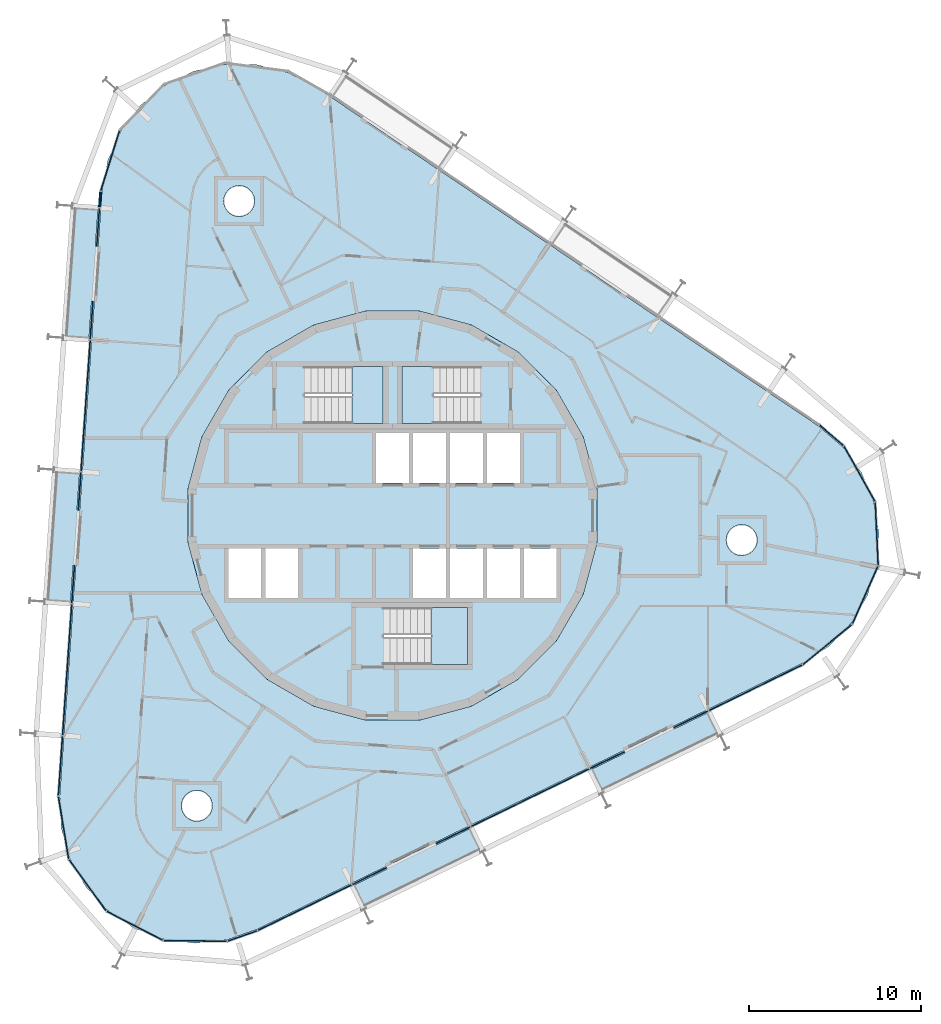
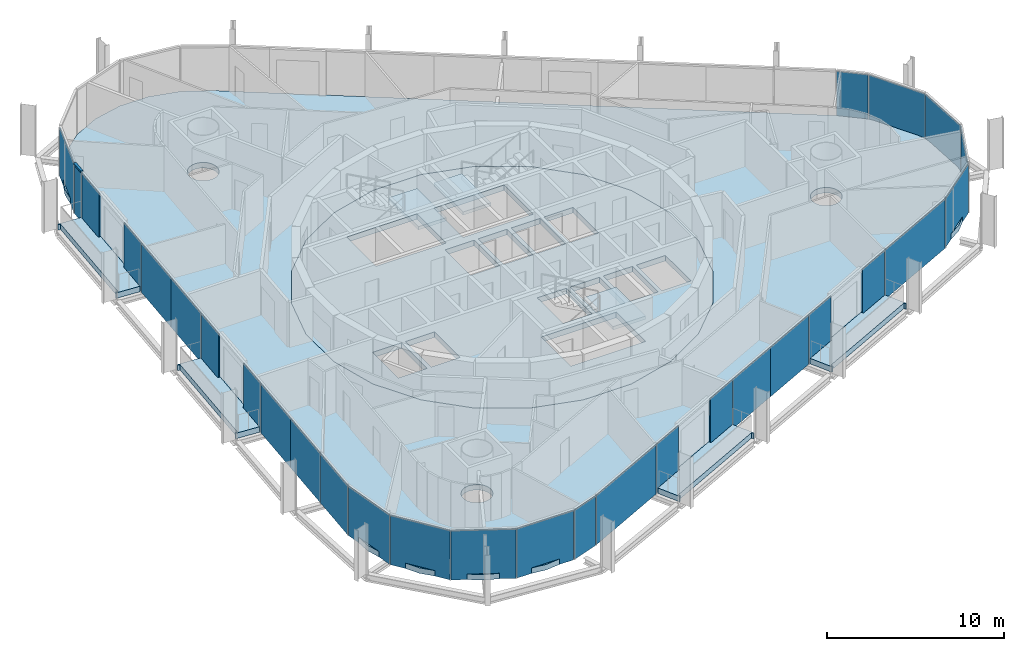
# One storey, part 10 of 18: 29 plates, 9 slabs, 1 member, 8 elements without a shape of their own.
"""IFC4 building model written with IfcOpenShell, lengths in metres."""

from ifc_helpers import new_model, si_unit, direction, frame, origin, origin_2d, place, context, subcontext, project, spatial, polyline, rectangle, outline, extrude, material, layer, layer_set, material_profile, profile_set, type_object, element, aggregate, save


model = new_model("IFC4")

# Units and contexts
model_context = context("Model", 3, precision=1e-05, world=origin(), true_north=direction((0.0, 1.0)))
body_context = subcontext(model_context, "Body", "Model", "MODEL_VIEW")
ifc_project = project(units=[si_unit("LENGTHUNIT", "METRE"), si_unit("AREAUNIT", "SQUARE_METRE"), si_unit("VOLUMEUNIT", "CUBIC_METRE"), si_unit("PLANEANGLEUNIT", "RADIAN"), si_unit("MASSUNIT", "GRAM", prefix="KILO")], contexts=[model_context])

# Site, building, storey
site_placement = place(None, origin())
site = spatial("IfcSite", under=ifc_project, at=site_placement, CompositionType="ELEMENT")
building_placement = place(site_placement, origin())
building = spatial("IfcBuilding", under=site, at=building_placement, Name="Spindle Arch Residences", CompositionType="ELEMENT")
storey_placement = place(building_placement, frame((0.0, 0.0, 195.39990234375)))
storey = spatial("IfcBuildingStorey", under=building, at=storey_placement, Name="L49", CompositionType="ELEMENT", Elevation=195.39990234375)

# Curtain wall, member
ifc_material_1 = material(Name="Aluminium bronze unitised frame with tinted glass", Category="aluminium")
ifc_layer_1 = layer(ifc_material_1, 0.159912109375)
ifc_layer_set_1 = layer_set([ifc_layer_1], Name="CW-D corner wall on the fillet arcs")
curtain_wall_type_1 = type_object("IfcCurtainWallType", Name="CW-D corner wall on the fillet arcs", PredefinedType="NOTDEFINED", material=ifc_layer_set_1)
curtain_wall_1_placement = place(storey_placement, origin())
curtain_wall_1 = element("IfcCurtainWall", 1, at=curtain_wall_1_placement, inside=storey, type_object=curtain_wall_type_1, Name="CW-D L49 run 3", PredefinedType="NOTDEFINED")
ifc_material_2 = material(Name="Aluminium bronze anodised transom", Category="aluminium")
ifc_material_profile = material_profile(ifc_material_2, rectangle(XDim=0.159912109375, YDim=0.1201171875, at=origin_2d()), Name="TR 120x160")
ifc_profile_set = profile_set([ifc_material_profile], Name="Aluminium bronze anodised transom")
member_type = type_object("IfcMemberType", Name="Bronze transom 120x160", PredefinedType="USERDEFINED", material=ifc_profile_set)
member_placement = place(storey_placement, frame((-16.98828125, 18.83447265625, 3.06005859375), z_axis=(-0.069692035463, -0.997568554132, 0.0), x_axis=(0.997568554132, -0.069692035463, 0.0)))
member = element("IfcMember", 2, at=member_placement, type_object=member_type, Name="CW-D transom 05", ObjectType="TRANSOM", PredefinedType="USERDEFINED", context=body_context, shape_type="SweptSolid", body=[
    extrude(rectangle(XDim=0.159912109375, YDim=0.1201171875, at=origin_2d()), origin(), (0.0, 0.0, 1.0), 0.90380859375),
])

# Slabs
ifc_material_3 = material(Name="Concrete C40/50", Category="concrete")
ifc_layer_2 = layer(ifc_material_3, 0.3798828125)
ifc_layer_set_2 = layer_set([ifc_layer_2], Name="Balcony slab 380")
slab_type_1 = type_object("IfcSlabType", Name="Balcony slab 380", PredefinedType="FLOOR", material=ifc_layer_set_2)
slab_1_placement = place(storey_placement, frame((0.0, 0.0, -0.3798828125)))
element("IfcSlab", 3, at=slab_1_placement, inside=storey, type_object=slab_type_1, Name="Balcony L49 bay 1", PredefinedType="FLOOR", context=body_context, shape_type="SweptSolid", body=[
    extrude(outline(polyline([(12.21826171875, -16.1044921875), (12.28564453125, -16.07177734375), (12.2197265625, -15.936767578125), (18.865234375, -12.695556640625), (18.930908203125, -12.83056640625), (18.99853515625, -12.797607421875), (18.34521484375, -11.45849609375), (16.393310546875, -12.410400390625), (16.322998046875, -12.2666015625), (13.447021484375, -13.66943359375), (13.51708984375, -13.813232421875), (11.56494140625, -14.765380859375), (12.21826171875, -16.1044921875)])), origin(), (0.0, 0.0, 1.0), 0.3798828125),
])
slab_2_placement = place(storey_placement, frame((0.0, 0.0, -0.3798828125)))
element("IfcSlab", 4, at=slab_2_placement, inside=storey, type_object=slab_type_1, Name="Balcony L49 bay 13", PredefinedType="FLOOR", context=body_context, shape_type="SweptSolid", body=[
    extrude(outline(polyline([(-18.624755859375, 17.9375), (-18.630126953125, 17.86279296875), (-18.48046875, 17.852294921875), (-18.996337890625, 10.4765625), (-19.145751953125, 10.487060546875), (-19.151123046875, 10.412353515625), (-17.664794921875, 10.308349609375), (-17.51318359375, 12.474853515625), (-17.353515625, 12.4638671875), (-17.13037109375, 15.656005859375), (-17.2900390625, 15.6669921875), (-17.138427734375, 17.833740234375), (-18.624755859375, 17.9375)])), origin(), (0.0, 0.0, 1.0), 0.3798828125),
])
slab_3_placement = place(storey_placement, frame((0.0, 0.0, -0.3798828125)))
element("IfcSlab", 5, at=slab_3_placement, inside=storey, type_object=slab_type_1, Name="Balcony L49 bay 15", PredefinedType="FLOOR", context=body_context, shape_type="SweptSolid", body=[
    extrude(outline(polyline([(-19.6982421875, 2.587646484375), (-19.703369140625, 2.512939453125), (-19.553955078125, 2.50244140625), (-20.069580078125, -4.873291015625), (-20.21923828125, -4.86279296875), (-20.224365234375, -4.937744140625), (-18.738037109375, -5.04150390625), (-18.586669921875, -2.875), (-18.427001953125, -2.88623046875), (-18.203857421875, 0.305908203125), (-18.36328125, 0.317138671875), (-18.2119140625, 2.483642578125), (-19.6982421875, 2.587646484375)])), origin(), (0.0, 0.0, 1.0), 0.3798828125),
])
slab_4_placement = place(storey_placement, frame((0.0, 0.0, -0.3798828125)))
element("IfcSlab", 6, at=slab_4_placement, inside=storey, type_object=slab_type_1, Name="Balcony L49 bay 21", PredefinedType="FLOOR", context=body_context, shape_type="SweptSolid", body=[
    extrude(outline(polyline([(-1.612060546875, -22.849853515625), (-1.54443359375, -22.817138671875), (-1.6103515625, -22.68212890625), (5.03515625, -19.441162109375), (5.100830078125, -19.575927734375), (5.168212890625, -19.54296875), (4.51513671875, -18.203857421875), (2.56298828125, -19.15576171875), (2.492919921875, -19.011962890625), (-0.38330078125, -20.414794921875), (-0.31298828125, -20.55859375), (-2.26513671875, -21.5107421875), (-1.612060546875, -22.849853515625)])), origin(), (0.0, 0.0, 1.0), 0.3798828125),
])
ifc_material_4 = material(Name="Concrete C50/60", Category="concrete")
ifc_layer_3 = layer(ifc_material_4, 0.3798828125)
ifc_layer_set_3 = layer_set([ifc_layer_3], Name="Core floor slab 380")
slab_type_2 = type_object("IfcSlabType", Name="Core floor slab 380", PredefinedType="FLOOR", material=ifc_layer_set_3)
slab_5_placement = place(storey_placement, frame((0.0, 0.0, -0.3798828125)))
element("IfcSlab", 7, at=slab_5_placement, inside=storey, type_object=slab_type_2, Name="Core floor L49", PredefinedType="FLOOR", context=body_context, shape_type="SweptSolid", body=[
    extrude(outline(polyline([(1.56640625, -11.897216796875), (4.59228515625, -11.086669921875), (7.30517578125, -9.520263671875), (9.520263671875, -7.30517578125), (11.086669921875, -4.59228515625), (11.897216796875, -1.56640625), (11.897216796875, 1.56640625), (11.086669921875, 4.59228515625), (9.520263671875, 7.30517578125), (7.30517578125, 9.520263671875), (4.59228515625, 11.086669921875), (1.56640625, 11.897216796875), (-1.56640625, 11.897216796875), (-4.59228515625, 11.086669921875), (-7.30517578125, 9.520263671875), (-9.520263671875, 7.30517578125), (-11.086669921875, 4.59228515625), (-11.897216796875, 1.56640625), (-11.897216796875, -1.56640625), (-11.086669921875, -4.59228515625), (-9.520263671875, -7.30517578125), (-7.30517578125, -9.520263671875), (-4.59228515625, -11.086669921875), (-1.56640625, -11.897216796875), (1.56640625, -11.897216796875)]), holes=[polyline([(-0.949951171875, 1.89990234375), (0.949951171875, 1.89990234375), (0.949951171875, 4.800048828125), (-0.949951171875, 4.800048828125), (-0.949951171875, 1.89990234375)]), polyline([(1.199951171875, 1.89990234375), (3.10009765625, 1.89990234375), (3.10009765625, 4.800048828125), (1.199951171875, 4.800048828125), (1.199951171875, 1.89990234375)]), polyline([(3.35009765625, 1.89990234375), (5.25, 1.89990234375), (5.25, 4.800048828125), (3.35009765625, 4.800048828125), (3.35009765625, 1.89990234375)]), polyline([(5.5, 1.89990234375), (7.39990234375, 1.89990234375), (7.39990234375, 4.800048828125), (5.5, 4.800048828125), (5.5, 1.89990234375)]), polyline([(-9.550048828125, -4.800048828125), (-7.64990234375, -4.800048828125), (-7.64990234375, -1.89990234375), (-9.550048828125, -1.89990234375), (-9.550048828125, -4.800048828125)]), polyline([(-7.39990234375, -4.800048828125), (-5.5, -4.800048828125), (-5.5, -1.89990234375), (-7.39990234375, -1.89990234375), (-7.39990234375, -4.800048828125)]), polyline([(1.199951171875, -4.800048828125), (3.10009765625, -4.800048828125), (3.10009765625, -1.89990234375), (1.199951171875, -1.89990234375), (1.199951171875, -4.800048828125)]), polyline([(3.35009765625, -4.800048828125), (5.25, -4.800048828125), (5.25, -1.89990234375), (3.35009765625, -1.89990234375), (3.35009765625, -4.800048828125)]), polyline([(5.5, -4.800048828125), (7.39990234375, -4.800048828125), (7.39990234375, -1.89990234375), (5.5, -1.89990234375), (5.5, -4.800048828125)]), polyline([(7.64990234375, -4.800048828125), (9.550048828125, -4.800048828125), (9.550048828125, -1.89990234375), (7.64990234375, -1.89990234375), (7.64990234375, -4.800048828125)]), polyline([(5.1298828125, 8.669921875), (0.550048828125, 8.669921875), (0.550048828125, 5.35009765625), (5.1298828125, 5.35009765625), (5.1298828125, 8.669921875)]), polyline([(-5.1298828125, 5.35009765625), (-0.550048828125, 5.35009765625), (-0.550048828125, 8.669921875), (-5.1298828125, 8.669921875), (-5.1298828125, 5.35009765625)]), polyline([(-0.530029296875, -8.669921875), (4.35009765625, -8.669921875), (4.35009765625, -5.35009765625), (-0.530029296875, -5.35009765625), (-0.530029296875, -8.669921875)])]), origin(), (0.0, 0.0, 1.0), 0.3798828125),
])

# Stair, slab
ifc_material_5 = material(Name="Concrete C50/60", Category="concrete")
stair_type = type_object("IfcStairType", Name="Exit stair 16 risers", PredefinedType="HALF_TURN_STAIR", material=ifc_material_5)
stair_1_placement = place(storey_placement, origin())
stair_1 = element("IfcStair", 8, at=stair_1_placement, inside=storey, type_object=stair_type, Name="L49 Exit stair ST1", PredefinedType="HALF_TURN_STAIR")
ifc_material_6 = material(Name="Concrete C50/60", Category="concrete")
ifc_layer_4 = layer(ifc_material_6, 0.219970703125)
ifc_layer_set_4 = layer_set([ifc_layer_4], Name="Exit stair landing 220")
slab_type_3 = type_object("IfcSlabType", Name="Exit stair landing 220", PredefinedType="LANDING", material=ifc_layer_set_4)
slab_6_placement = place(storey_placement, frame((0.0, 0.0, 1.530029296875)))
slab_6 = element("IfcSlab", 9, at=slab_6_placement, type_object=slab_type_3, Name="ST1 landing 1", PredefinedType="LANDING", context=body_context, shape_type="SweptSolid", body=[
    extrude(outline(polyline([(2.3701171875, 8.669921875), (0.550048828125, 8.669921875), (0.550048828125, 5.35009765625), (2.3701171875, 5.35009765625), (2.3701171875, 8.669921875)])), origin(), (0.0, 0.0, 1.0), 0.219970703125),
])
aggregate(stair_1, [slab_6])

stair_2_placement = place(storey_placement, origin())
stair_2 = element("IfcStair", 10, at=stair_2_placement, inside=storey, type_object=stair_type, Name="L49 Exit stair ST2", PredefinedType="HALF_TURN_STAIR")
slab_7_placement = place(storey_placement, frame((0.0, 0.0, 1.530029296875)))
slab_7 = element("IfcSlab", 11, at=slab_7_placement, type_object=slab_type_3, Name="ST2 landing 1", PredefinedType="LANDING", context=body_context, shape_type="SweptSolid", body=[
    extrude(outline(polyline([(-2.3701171875, 5.35009765625), (-0.550048828125, 5.35009765625), (-0.550048828125, 8.669921875), (-2.3701171875, 8.669921875), (-2.3701171875, 5.35009765625)])), origin(), (0.0, 0.0, 1.0), 0.219970703125),
])
aggregate(stair_2, [slab_7])

stair_3_placement = place(storey_placement, origin())
stair_3 = element("IfcStair", 12, at=stair_3_placement, inside=storey, type_object=stair_type, Name="L49 Exit stair ST3", PredefinedType="HALF_TURN_STAIR")
slab_8_placement = place(storey_placement, frame((0.0, 0.0, 1.530029296875)))
slab_8 = element("IfcSlab", 13, at=slab_8_placement, type_object=slab_type_3, Name="ST3 landing 1", PredefinedType="LANDING", context=body_context, shape_type="SweptSolid", body=[
    extrude(outline(polyline([(2.22998046875, -8.669921875), (4.35009765625, -8.669921875), (4.35009765625, -5.35009765625), (2.22998046875, -5.35009765625), (2.22998046875, -8.669921875)])), origin(), (0.0, 0.0, 1.0), 0.219970703125),
])
aggregate(stair_3, [slab_8])

# Slab
ifc_material_7 = material(Name="Concrete C40/50", Category="concrete")
ifc_layer_5 = layer(ifc_material_7, 0.3798828125)
ifc_layer_set_5 = layer_set([ifc_layer_5], Name="Floor slab 380")
slab_type_4 = type_object("IfcSlabType", Name="Floor slab 380", PredefinedType="FLOOR", material=ifc_layer_set_5)
slab_9_placement = place(storey_placement, frame((0.0, 0.0, -0.3798828125)))
element("IfcSlab", 14, at=slab_9_placement, inside=storey, type_object=slab_type_4, Name="Floor slab L49", PredefinedType="FLOOR", context=body_context, shape_type="SweptSolid", body=[
    extrude(outline(polyline([(-9.6318359375, -24.685791015625), (-11.47900390625, -24.8798828125), (-13.3212890625, -24.642822265625), (-15.059326171875, -23.9873046875), (-16.599365234375, -22.948486328125), (-17.858154296875, -21.582763671875), (-18.76806640625, -19.96337890625), (-19.280029296875, -18.177978515625), (-19.366455078125, -16.322509765625), (-16.906494140625, 18.85888671875), (-16.5625, 20.684326171875), (-15.80712890625, 22.381103515625), (-14.6806640625, 23.858154296875), (-13.243896484375, 25.035400390625), (-11.574462890625, 25.849609375), (-9.76220703125, 26.257080078125), (-7.90478515625, 26.2353515625), (-6.1025390625, 25.785888671875), (-4.452392578125, 24.93310546875), (24.785400390625, 5.2119140625), (26.1943359375, 4.00146484375), (27.2861328125, 2.498779296875), (28.001953125, 0.784912109375), (28.30322265625, -1.048095703125), (28.173583984375, -2.901123046875), (27.620361328125, -4.67431640625), (26.6728515625, -6.27197265625), (25.382568359375, -7.608154296875), (23.81884765625, -8.610595703125), (7.969970703125, -16.3408203125), (-7.87890625, -24.07080078125), (-9.6318359375, -24.685791015625)]), holes=[polyline([(7.30517578125, -9.520263671875), (9.520263671875, -7.30517578125), (11.086669921875, -4.59228515625), (11.897216796875, -1.56640625), (11.897216796875, 1.56640625), (11.086669921875, 4.59228515625), (9.520263671875, 7.30517578125), (7.30517578125, 9.520263671875), (4.59228515625, 11.086669921875), (1.56640625, 11.897216796875), (-1.56640625, 11.897216796875), (-4.59228515625, 11.086669921875), (-7.30517578125, 9.520263671875), (-9.520263671875, 7.30517578125), (-11.086669921875, 4.59228515625), (-11.897216796875, 1.56640625), (-11.897216796875, -1.56640625), (-11.086669921875, -4.59228515625), (-9.520263671875, -7.30517578125), (-7.30517578125, -9.520263671875), (-4.59228515625, -11.086669921875), (-1.56640625, -11.897216796875), (1.56640625, -11.897216796875), (4.59228515625, -11.086669921875), (7.30517578125, -9.520263671875)]), polyline([(-10.6376953125, -17.380615234375), (-10.554443359375, -17.224853515625), (-10.50341796875, -17.05615234375), (-10.486083984375, -16.880615234375), (-10.50341796875, -16.704833984375), (-10.554443359375, -16.5361328125), (-10.6376953125, -16.380615234375), (-10.74951171875, -16.244140625), (-10.885986328125, -16.132080078125), (-11.04150390625, -16.049072265625), (-11.21044921875, -15.997802734375), (-11.385986328125, -15.98046875), (-11.5615234375, -15.997802734375), (-11.73046875, -16.049072265625), (-11.885986328125, -16.132080078125), (-12.0224609375, -16.244140625), (-12.13427734375, -16.380615234375), (-12.217529296875, -16.5361328125), (-12.268798828125, -16.704833984375), (-12.285888671875, -16.880615234375), (-12.268798828125, -17.05615234375), (-12.217529296875, -17.224853515625), (-12.13427734375, -17.380615234375), (-12.0224609375, -17.516845703125), (-11.885986328125, -17.62890625), (-11.73046875, -17.7119140625), (-11.5615234375, -17.76318359375), (-11.385986328125, -17.780517578125), (-11.21044921875, -17.76318359375), (-11.04150390625, -17.7119140625), (-10.885986328125, -17.62890625), (-10.74951171875, -17.516845703125), (-10.6376953125, -17.380615234375)]), polyline([(-8.177490234375, 17.80078125), (-8.094482421875, 17.956298828125), (-8.043212890625, 18.125244140625), (-8.02587890625, 18.30078125), (-8.043212890625, 18.476318359375), (-8.094482421875, 18.645263671875), (-8.177490234375, 18.80078125), (-8.28955078125, 18.937255859375), (-8.42578125, 19.049072265625), (-8.58154296875, 19.13232421875), (-8.750244140625, 19.18359375), (-8.92578125, 19.20068359375), (-9.1015625, 19.18359375), (-9.270263671875, 19.13232421875), (-9.42578125, 19.049072265625), (-9.562255859375, 18.937255859375), (-9.67431640625, 18.80078125), (-9.75732421875, 18.645263671875), (-9.80859375, 18.476318359375), (-9.825927734375, 18.30078125), (-9.80859375, 18.125244140625), (-9.75732421875, 17.956298828125), (-9.67431640625, 17.80078125), (-9.562255859375, 17.664306640625), (-9.42578125, 17.552490234375), (-9.270263671875, 17.46923828125), (-9.1015625, 17.418212890625), (-8.92578125, 17.40087890625), (-8.750244140625, 17.418212890625), (-8.58154296875, 17.46923828125), (-8.42578125, 17.552490234375), (-8.28955078125, 17.664306640625), (-8.177490234375, 17.80078125)]), polyline([(20.9482421875, -2.056640625), (21.060302734375, -1.92041015625), (21.143310546875, -1.7646484375), (21.194580078125, -1.595947265625), (21.2119140625, -1.42041015625), (21.194580078125, -1.24462890625), (21.143310546875, -1.075927734375), (21.060302734375, -0.92041015625), (20.9482421875, -0.783935546875), (20.81201171875, -0.672119140625), (20.65625, -0.5888671875), (20.487548828125, -0.53759765625), (20.31201171875, -0.520263671875), (20.13623046875, -0.53759765625), (19.967529296875, -0.5888671875), (19.81201171875, -0.672119140625), (19.675537109375, -0.783935546875), (19.563720703125, -0.92041015625), (19.48046875, -1.075927734375), (19.42919921875, -1.24462890625), (19.411865234375, -1.42041015625), (19.42919921875, -1.595947265625), (19.48046875, -1.7646484375), (19.563720703125, -1.92041015625), (19.675537109375, -2.056640625), (19.81201171875, -2.168701171875), (19.967529296875, -2.251708984375), (20.13623046875, -2.302978515625), (20.31201171875, -2.3203125), (20.487548828125, -2.302978515625), (20.65625, -2.251708984375), (20.81201171875, -2.168701171875), (20.9482421875, -2.056640625)])]), origin(), (0.0, 0.0, 1.0), 0.3798828125),
])

# Curtain wall, plates
curtain_wall_2_placement = place(storey_placement, origin())
curtain_wall_2 = element("IfcCurtainWall", 15, at=curtain_wall_2_placement, inside=storey, type_object=curtain_wall_type_1, Name="CW-D L49 run 1", PredefinedType="NOTDEFINED")
ifc_material_8 = material(Name="Tinted double glazing over aluminium faced non-combustible spandrel zone (K0)", Category="aluminium")
ifc_layer_6 = layer(ifc_material_8, 0.06005859375)
ifc_layer_set_6 = layer_set([ifc_layer_6], Name="Unitised glass panel with E 60 spandrel zone")
plate_type = type_object("IfcPlateType", Name="Unitised glass panel with E 60 spandrel zone", PredefinedType="CURTAIN_PANEL", material=ifc_layer_set_6)
plate_1_placement = place(storey_placement, frame((21.11572265625, -10.01806640625, -0.3798828125), z_axis=(0.0, 0.0, 1.0), x_axis=(0.898794046299, 0.438371146789, 0.0)))
plate_1 = element("IfcPlate", 16, at=plate_1_placement, type_object=plate_type, Name="CW-D unit 00", PredefinedType="CURTAIN_PANEL", context=body_context, shape_type="SweptSolid", body=[
    extrude(rectangle(XDim=6.032958984375, YDim=0.06005859375, at=origin_2d()), origin(), (0.0, 0.0, 1.0), 3.3798828125),
])
plate_2_placement = place(storey_placement, frame((25.295166015625, -7.50146484375, -0.3798828125), z_axis=(0.0, 0.0, 1.0), x_axis=(0.773471595747, 0.633830963722, 0.0)))
plate_2 = element("IfcPlate", 17, at=plate_2_placement, type_object=plate_type, Name="CW-D unit 01", PredefinedType="CURTAIN_PANEL", context=body_context, shape_type="SweptSolid", body=[
    extrude(rectangle(XDim=3.666748046875, YDim=0.06005859375, at=origin_2d()), origin(), (0.0, 0.0, 1.0), 3.3798828125),
])
plate_3_placement = place(storey_placement, frame((27.494384765625, -4.6181640625, -0.3798828125), z_axis=(0.0, 0.0, 1.0), x_axis=(0.406736642422, 0.913545457934, 0.0)))
plate_3 = element("IfcPlate", 18, at=plate_3_placement, type_object=plate_type, Name="CW-D unit 02", PredefinedType="CURTAIN_PANEL", context=body_context, shape_type="SweptSolid", body=[
    extrude(rectangle(XDim=3.666748046875, YDim=0.06005859375, at=origin_2d()), origin(), (0.0, 0.0, 1.0), 3.3798828125),
])
plate_4_placement = place(storey_placement, frame((28.16552734375, -1.054443359375, -0.3798828125), z_axis=(0.0, 0.0, 1.0), x_axis=(-0.046525313877, 0.99891711126, 0.0)))
plate_4 = element("IfcPlate", 19, at=plate_4_placement, type_object=plate_type, Name="CW-D unit 03", PredefinedType="CURTAIN_PANEL", context=body_context, shape_type="SweptSolid", body=[
    extrude(rectangle(XDim=3.666748046875, YDim=0.06005859375, at=origin_2d()), origin(), (0.0, 0.0, 1.0), 3.3798828125),
])
plate_5_placement = place(storey_placement, frame((27.166015625, 2.43115234375, -0.3798828125), z_axis=(0.0, 0.0, 1.0), x_axis=(-0.489889716377, 0.871784414743, 0.0)))
plate_5 = element("IfcPlate", 20, at=plate_5_placement, type_object=plate_type, Name="CW-D unit 04", PredefinedType="CURTAIN_PANEL", context=body_context, shape_type="SweptSolid", body=[
    extrude(rectangle(XDim=3.666748046875, YDim=0.06005859375, at=origin_2d()), origin(), (0.0, 0.0, 1.0), 3.3798828125),
])
plate_6_placement = place(storey_placement, frame((25.541748046875, 4.6669921875, -0.3798828125), z_axis=(0.0, 0.0, 1.0), x_axis=(-0.758513582867, 0.651657229382, 0.0)))
plate_6 = element("IfcPlate", 21, at=plate_6_placement, type_object=plate_type, Name="CW-D unit 05", PredefinedType="CURTAIN_PANEL", context=body_context, shape_type="SweptSolid", body=[
    extrude(rectangle(XDim=1.816162109375, YDim=0.06005859375, at=origin_2d()), origin(), (0.0, 0.0, 1.0), 3.3798828125),
])
aggregate(curtain_wall_2, [plate_1, plate_2, plate_3, plate_4, plate_5, plate_6])

# Plate
plate_7_placement = place(storey_placement, frame((-16.43115234375, 20.643310546875, -0.3798828125), z_axis=(0.0, 0.0, 1.0), x_axis=(-0.297930275218, -0.954587634064, 0.0)))
plate_7 = element("IfcPlate", 22, at=plate_7_placement, type_object=plate_type, Name="CW-D unit 04", PredefinedType="CURTAIN_PANEL", context=body_context, shape_type="SweptSolid", body=[
    extrude(rectangle(XDim=3.666748046875, YDim=0.06005859375, at=origin_2d()), origin(), (0.0, 0.0, 1.0), 3.3798828125),
])

plate_8_placement = place(storey_placement, frame((-17.019775390625, 18.3837890625, -0.3798828125), z_axis=(0.0, 0.0, 1.0), x_axis=(-0.069756473744, -0.99756405026, 0.0)))
plate_8 = element("IfcPlate", 23, at=plate_8_placement, type_object=plate_type, Name="CW-D unit 05", PredefinedType="CURTAIN_PANEL", context=body_context, shape_type="SweptSolid", body=[
    extrude(rectangle(XDim=0.90380859375, YDim=0.06005859375, at=origin_2d()), origin(), (0.0, 0.0, 1.0), 3.3798828125),
])

aggregate(curtain_wall_1, [plate_7, member, plate_8])

# Curtain wall, plates
ifc_material_9 = material(Name="Aluminium bronze unitised frame with tinted glass", Category="aluminium")
ifc_layer_7 = layer(ifc_material_9, 0.159912109375)
ifc_layer_set_7 = layer_set([ifc_layer_7], Name="CW-C typical residential unitised wall")
curtain_wall_type_2 = type_object("IfcCurtainWallType", Name="CW-C typical residential unitised wall", PredefinedType="NOTDEFINED", material=ifc_layer_set_7)
curtain_wall_3_placement = place(storey_placement, origin())
curtain_wall_3 = element("IfcCurtainWall", 24, at=curtain_wall_3_placement, inside=storey, type_object=curtain_wall_type_2, Name="CW-C L49 run 4", PredefinedType="NOTDEFINED")
plate_9_placement = place(storey_placement, frame((-17.1328125, 16.767333984375, -0.3798828125), z_axis=(0.0, 0.0, 1.0), x_axis=(-0.069756473744, -0.99756405026, 0.0)))
plate_9 = element("IfcPlate", 25, at=plate_9_placement, type_object=plate_type, Name="CW-C unit 12L", PredefinedType="CURTAIN_PANEL", context=body_context, shape_type="SweptSolid", body=[
    extrude(rectangle(XDim=2.216796875, YDim=0.06005859375, at=origin_2d()), origin(), (0.0, 0.0, 1.0), 3.3798828125),
])
plate_10_placement = place(storey_placement, frame((-17.5107421875, 11.363525390625, -0.3798828125), z_axis=(0.0, 0.0, 1.0), x_axis=(-0.069756473744, -0.99756405026, 0.0)))
plate_10 = element("IfcPlate", 26, at=plate_10_placement, type_object=plate_type, Name="CW-C unit 12R", PredefinedType="CURTAIN_PANEL", context=body_context, shape_type="SweptSolid", body=[
    extrude(rectangle(XDim=2.216796875, YDim=0.06005859375, at=origin_2d()), origin(), (0.0, 0.0, 1.0), 3.3798828125),
])
plate_11_placement = place(storey_placement, frame((-17.725341796875, 8.294189453125, -0.3798828125), z_axis=(0.0, 0.0, 1.0), x_axis=(-0.069756473744, -0.99756405026, 0.0)))
plate_11 = element("IfcPlate", 27, at=plate_11_placement, type_object=plate_type, Name="CW-C unit 13A", PredefinedType="CURTAIN_PANEL", context=body_context, shape_type="SweptSolid", body=[
    extrude(rectangle(XDim=3.81689453125, YDim=0.06005859375, at=origin_2d()), origin(), (0.0, 0.0, 1.0), 3.3798828125),
])
plate_12_placement = place(storey_placement, frame((-17.99169921875, 4.486572265625, -0.3798828125), z_axis=(0.0, 0.0, 1.0), x_axis=(-0.069756473744, -0.99756405026, 0.0)))
plate_12 = element("IfcPlate", 28, at=plate_12_placement, type_object=plate_type, Name="CW-C unit 13B", PredefinedType="CURTAIN_PANEL", context=body_context, shape_type="SweptSolid", body=[
    extrude(rectangle(XDim=3.81689453125, YDim=0.06005859375, at=origin_2d()), origin(), (0.0, 0.0, 1.0), 3.3798828125),
])
plate_13_placement = place(storey_placement, frame((-18.206298828125, 1.417236328125, -0.3798828125), z_axis=(0.0, 0.0, 1.0), x_axis=(-0.069756473744, -0.99756405026, 0.0)))
plate_13 = element("IfcPlate", 29, at=plate_13_placement, type_object=plate_type, Name="CW-C unit 14L", PredefinedType="CURTAIN_PANEL", context=body_context, shape_type="SweptSolid", body=[
    extrude(rectangle(XDim=2.216796875, YDim=0.06005859375, at=origin_2d()), origin(), (0.0, 0.0, 1.0), 3.3798828125),
])
plate_14_placement = place(storey_placement, frame((-18.583984375, -3.986328125, -0.3798828125), z_axis=(0.0, 0.0, 1.0), x_axis=(-0.069756473744, -0.99756405026, 0.0)))
plate_14 = element("IfcPlate", 30, at=plate_14_placement, type_object=plate_type, Name="CW-C unit 14R", PredefinedType="CURTAIN_PANEL", context=body_context, shape_type="SweptSolid", body=[
    extrude(rectangle(XDim=2.216796875, YDim=0.06005859375, at=origin_2d()), origin(), (0.0, 0.0, 1.0), 3.3798828125),
])
plate_15_placement = place(storey_placement, frame((-18.798828125, -7.0556640625, -0.3798828125), z_axis=(0.0, 0.0, 1.0), x_axis=(-0.069756473744, -0.99756405026, 0.0)))
plate_15 = element("IfcPlate", 31, at=plate_15_placement, type_object=plate_type, Name="CW-C unit 15A", PredefinedType="CURTAIN_PANEL", context=body_context, shape_type="SweptSolid", body=[
    extrude(rectangle(XDim=3.81689453125, YDim=0.06005859375, at=origin_2d()), origin(), (0.0, 0.0, 1.0), 3.3798828125),
])
plate_16_placement = place(storey_placement, frame((-19.06494140625, -10.86328125, -0.3798828125), z_axis=(0.0, 0.0, 1.0), x_axis=(-0.069756473744, -0.99756405026, 0.0)))
plate_16 = element("IfcPlate", 32, at=plate_16_placement, type_object=plate_type, Name="CW-C unit 15B", PredefinedType="CURTAIN_PANEL", context=body_context, shape_type="SweptSolid", body=[
    extrude(rectangle(XDim=3.81689453125, YDim=0.06005859375, at=origin_2d()), origin(), (0.0, 0.0, 1.0), 3.3798828125),
])
aggregate(curtain_wall_3, [plate_9, plate_10, plate_11, plate_12, plate_13, plate_14, plate_15, plate_16])

curtain_wall_4_placement = place(storey_placement, origin())
curtain_wall_4 = element("IfcCurtainWall", 33, at=curtain_wall_4_placement, inside=storey, type_object=curtain_wall_type_1, Name="CW-D L49 run 5", PredefinedType="NOTDEFINED")
plate_17_placement = place(storey_placement, frame((-19.3232421875, -14.556884765625, -0.3798828125), z_axis=(0.0, 0.0, 1.0), x_axis=(-0.069756473744, -0.99756405026, 0.0)))
plate_17 = element("IfcPlate", 34, at=plate_17_placement, type_object=plate_type, Name="CW-D unit 00", PredefinedType="CURTAIN_PANEL", context=body_context, shape_type="SweptSolid", body=[
    extrude(rectangle(XDim=3.468505859375, YDim=0.06005859375, at=origin_2d()), origin(), (0.0, 0.0, 1.0), 3.3798828125),
])
plate_18_placement = place(storey_placement, frame((-19.14404296875, -18.155517578125, -0.3798828125), z_axis=(0.0, 0.0, 1.0), x_axis=(0.162177925821, -0.986761531666, 0.0)))
plate_18 = element("IfcPlate", 35, at=plate_18_placement, type_object=plate_type, Name="CW-D unit 01", PredefinedType="CURTAIN_PANEL", context=body_context, shape_type="SweptSolid", body=[
    extrude(rectangle(XDim=3.666748046875, YDim=0.06005859375, at=origin_2d()), origin(), (0.0, 0.0, 1.0), 3.3798828125),
])
plate_19_placement = place(storey_placement, frame((-17.74658203125, -21.501708984375, -0.3798828125), z_axis=(0.0, 0.0, 1.0), x_axis=(0.587785254679, -0.809016992641, 0.0)))
plate_19 = element("IfcPlate", 36, at=plate_19_placement, type_object=plate_type, Name="CW-D unit 02", PredefinedType="CURTAIN_PANEL", context=body_context, shape_type="SweptSolid", body=[
    extrude(rectangle(XDim=3.666748046875, YDim=0.06005859375, at=origin_2d()), origin(), (0.0, 0.0, 1.0), 3.3798828125),
])
plate_20_placement = place(storey_placement, frame((-14.99609375, -23.86474609375, -0.3798828125), z_axis=(0.0, 0.0, 1.0), x_axis=(0.88835025098, -0.459166453025, 0.0)))
plate_20 = element("IfcPlate", 37, at=plate_20_placement, type_object=plate_type, Name="CW-D unit 03", PredefinedType="CURTAIN_PANEL", context=body_context, shape_type="SweptSolid", body=[
    extrude(rectangle(XDim=3.666748046875, YDim=0.06005859375, at=origin_2d()), origin(), (0.0, 0.0, 1.0), 3.3798828125),
])
plate_21_placement = place(storey_placement, frame((-11.4775390625, -24.7421875, -0.3798828125), z_axis=(0.0, 0.0, 1.0), x_axis=(0.999932308032, -0.011635263346, 0.0)))
plate_21 = element("IfcPlate", 38, at=plate_21_placement, type_object=plate_type, Name="CW-D unit 04", PredefinedType="CURTAIN_PANEL", context=body_context, shape_type="SweptSolid", body=[
    extrude(rectangle(XDim=3.666748046875, YDim=0.06005859375, at=origin_2d()), origin(), (0.0, 0.0, 1.0), 3.3798828125),
])
plate_22_placement = place(storey_placement, frame((-8.72900390625, -24.453369140625, -0.3798828125), z_axis=(0.0, 0.0, 1.0), x_axis=(0.943608504957, 0.33106342198, 0.0)))
plate_22 = element("IfcPlate", 39, at=plate_22_placement, type_object=plate_type, Name="CW-D unit 05", PredefinedType="CURTAIN_PANEL", context=body_context, shape_type="SweptSolid", body=[
    extrude(rectangle(XDim=1.816162109375, YDim=0.06005859375, at=origin_2d()), origin(), (0.0, 0.0, 1.0), 3.3798828125),
])
plate_23_placement = place(storey_placement, frame((-5.105712890625, -22.80712890625, -0.3798828125), z_axis=(0.0, 0.0, 1.0), x_axis=(0.898794046299, 0.438371146789, 0.0)))
plate_23 = element("IfcPlate", 40, at=plate_23_placement, type_object=plate_type, Name="CW-D unit 06", PredefinedType="CURTAIN_PANEL", context=body_context, shape_type="SweptSolid", body=[
    extrude(rectangle(XDim=6.032958984375, YDim=0.06005859375, at=origin_2d()), origin(), (0.0, 0.0, 1.0), 3.3798828125),
])
aggregate(curtain_wall_4, [plate_17, plate_18, plate_19, plate_20, plate_21, plate_22, plate_23])

curtain_wall_5_placement = place(storey_placement, origin())
curtain_wall_5 = element("IfcCurtainWall", 41, at=curtain_wall_5_placement, inside=storey, type_object=curtain_wall_type_2, Name="CW-C L49 run 6", PredefinedType="NOTDEFINED")
plate_24_placement = place(storey_placement, frame((-1.344482421875, -20.97265625, -0.3798828125), z_axis=(0.0, 0.0, 1.0), x_axis=(0.898794046299, 0.438371146789, 0.0)))
plate_24 = element("IfcPlate", 42, at=plate_24_placement, type_object=plate_type, Name="CW-C unit 20L", PredefinedType="CURTAIN_PANEL", context=body_context, shape_type="SweptSolid", body=[
    extrude(rectangle(XDim=2.216796875, YDim=0.06005859375, at=origin_2d()), origin(), (0.0, 0.0, 1.0), 3.3798828125),
])
plate_25_placement = place(storey_placement, frame((3.524169921875, -18.59814453125, -0.3798828125), z_axis=(0.0, 0.0, 1.0), x_axis=(0.898794046299, 0.438371146789, 0.0)))
plate_25 = element("IfcPlate", 43, at=plate_25_placement, type_object=plate_type, Name="CW-C unit 20R", PredefinedType="CURTAIN_PANEL", context=body_context, shape_type="SweptSolid", body=[
    extrude(rectangle(XDim=2.216796875, YDim=0.06005859375, at=origin_2d()), origin(), (0.0, 0.0, 1.0), 3.3798828125),
])
plate_26_placement = place(storey_placement, frame((6.289794921875, -17.249267578125, -0.3798828125), z_axis=(0.0, 0.0, 1.0), x_axis=(0.898794046299, 0.438371146789, 0.0)))
plate_26 = element("IfcPlate", 44, at=plate_26_placement, type_object=plate_type, Name="CW-C unit 21A", PredefinedType="CURTAIN_PANEL", context=body_context, shape_type="SweptSolid", body=[
    extrude(rectangle(XDim=3.81689453125, YDim=0.06005859375, at=origin_2d()), origin(), (0.0, 0.0, 1.0), 3.3798828125),
])
plate_27_placement = place(storey_placement, frame((9.72021484375, -15.576171875, -0.3798828125), z_axis=(0.0, 0.0, 1.0), x_axis=(0.898794046299, 0.438371146789, 0.0)))
plate_27 = element("IfcPlate", 45, at=plate_27_placement, type_object=plate_type, Name="CW-C unit 21B", PredefinedType="CURTAIN_PANEL", context=body_context, shape_type="SweptSolid", body=[
    extrude(rectangle(XDim=3.81689453125, YDim=0.06005859375, at=origin_2d()), origin(), (0.0, 0.0, 1.0), 3.3798828125),
])
plate_28_placement = place(storey_placement, frame((12.48583984375, -14.227294921875, -0.3798828125), z_axis=(0.0, 0.0, 1.0), x_axis=(0.898794046299, 0.438371146789, 0.0)))
plate_28 = element("IfcPlate", 46, at=plate_28_placement, type_object=plate_type, Name="CW-C unit 00L", PredefinedType="CURTAIN_PANEL", context=body_context, shape_type="SweptSolid", body=[
    extrude(rectangle(XDim=2.216796875, YDim=0.06005859375, at=origin_2d()), origin(), (0.0, 0.0, 1.0), 3.3798828125),
])
plate_29_placement = place(storey_placement, frame((17.3544921875, -11.852783203125, -0.3798828125), z_axis=(0.0, 0.0, 1.0), x_axis=(0.898794046299, 0.438371146789, 0.0)))
plate_29 = element("IfcPlate", 47, at=plate_29_placement, type_object=plate_type, Name="CW-C unit 00R", PredefinedType="CURTAIN_PANEL", context=body_context, shape_type="SweptSolid", body=[
    extrude(rectangle(XDim=2.216796875, YDim=0.06005859375, at=origin_2d()), origin(), (0.0, 0.0, 1.0), 3.3798828125),
])
aggregate(curtain_wall_5, [plate_24, plate_25, plate_26, plate_27, plate_28, plate_29])

save(model, "model.ifc")
